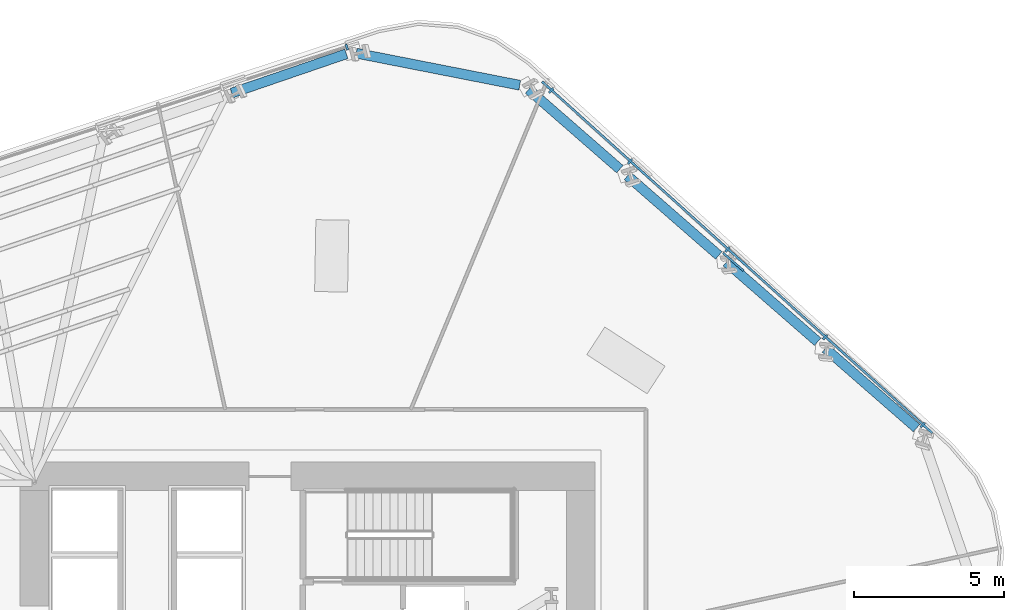
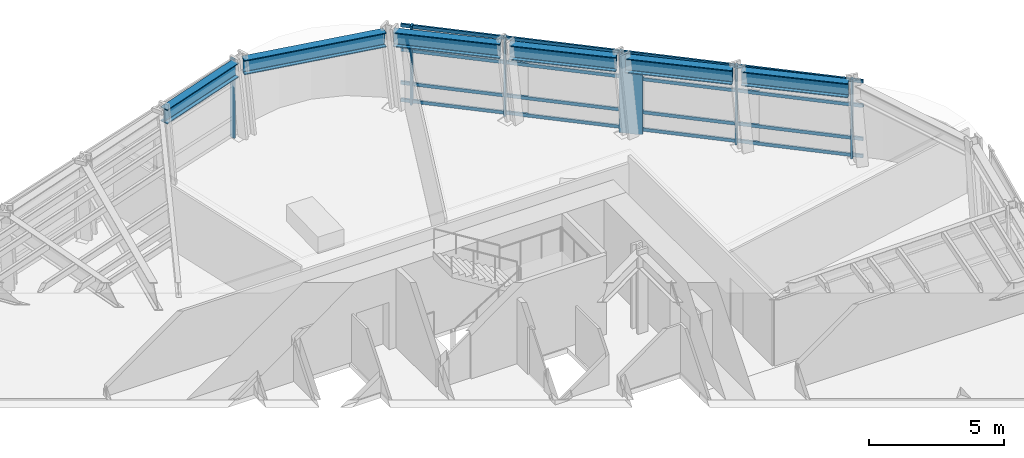
# One storey, part 7 of 16: 11 members, 6 beams, 2 elements without a shape of their own.
"""IFC4 building model written with IfcOpenShell, lengths in metres."""

from ifc_helpers import new_model, si_unit, direction, frame, origin, origin_2d, place, context, subcontext, project, spatial, rectangle, i_section, extrude, material, layer, layer_set, material_profile, profile_set, type_object, element, aggregate, save


model = new_model("IFC4")

# Units and contexts
model_context = context("Model", 3, precision=1e-05, world=origin(), true_north=direction((0.0, 1.0)))
body_context = subcontext(model_context, "Body", "Model", "MODEL_VIEW")
ifc_project = project(units=[si_unit("LENGTHUNIT", "METRE"), si_unit("AREAUNIT", "SQUARE_METRE"), si_unit("VOLUMEUNIT", "CUBIC_METRE"), si_unit("PLANEANGLEUNIT", "RADIAN"), si_unit("MASSUNIT", "GRAM", prefix="KILO")], contexts=[model_context])

# Site, building, storey
site_placement = place(None, origin())
site = spatial("IfcSite", under=ifc_project, at=site_placement, CompositionType="ELEMENT")
building_placement = place(site_placement, origin())
building = spatial("IfcBuilding", under=site, at=building_placement, Name="Valkerne Bourse Tower", CompositionType="ELEMENT")
storey_placement = place(building_placement, frame((0.0, 0.0, 101.0)))
storey = spatial("IfcBuildingStorey", under=building, at=storey_placement, Name="L25", CompositionType="ELEMENT", Elevation=101.0)

# Beams
ifc_material_1 = material(Name="Steel ASTM A992", Category="steel")
ifc_material_profile_1 = material_profile(ifc_material_1, i_section(OverallWidth=0.330078125, OverallDepth=0.647705078125, WebThickness=0.0205078125, FlangeThickness=0.037109375, FilletRadius=0.020263671875, at=origin_2d()), Name="W24X192")
ifc_profile_set_1 = profile_set([ifc_material_profile_1], Name="Steel ASTM A992")
beam_type = type_object("IfcBeamType", Name="BM-W24X192", PredefinedType="SPANDREL", material=ifc_profile_set_1)
for number, where, z_axis, x_axis, name in (
    (1, (67.14013671875, 37.240234375, 3.256103515625), (-0.753567147752, 0.657370940815, 0.0), (-0.657370940815, -0.753567147752, 0.0), "L25 Hexagonal Spandrel Ring Beam 00"),
    (2, (63.83740234375, 40.12158203125, 3.256103515625), (-0.753623154054, 0.657306733324, 0.0), (-0.657306733324, -0.753623154054, 0.0), "L25 Hexagonal Spandrel Ring Beam 01"),
    (3, (60.534423828125, 43.002685546875, 3.256103515625), (-0.753567147752, 0.657370940815, 0.0), (-0.657370940815, -0.753567147752, 0.0), "L25 Hexagonal Spandrel Ring Beam 02"),
):
    element("IfcBeam", number, at=place(storey_placement, frame(where, z_axis=z_axis, x_axis=x_axis)), inside=storey, type_object=beam_type, Name=name, PredefinedType="SPANDREL", context=body_context, shape_type="SweptSolid", body=[
        extrude(i_section(OverallWidth=0.330078125, OverallDepth=0.647705078125, WebThickness=0.0205078125, FlangeThickness=0.037109375, FilletRadius=0.020263671875, at=origin_2d()), origin(), (0.0, 0.0, 1.0), 4.04296875),
    ])
beam_1_placement = place(storey_placement, frame((57.231689453125, 45.884033203125, 3.256103515625), z_axis=(-0.753593241324, 0.657341027649, 0.0), x_axis=(-0.657341027649, -0.753593241324, 0.0)))
element("IfcBeam", 4, at=beam_1_placement, inside=storey, type_object=beam_type, Name="L25 Hexagonal Spandrel Ring Beam 03", PredefinedType="SPANDREL", context=body_context, shape_type="SweptSolid", body=[
    extrude(i_section(OverallWidth=0.330078125, OverallDepth=0.647705078125, WebThickness=0.0205078125, FlangeThickness=0.037109375, FilletRadius=0.020263671875, at=origin_2d()), origin(), (0.0, 0.0, 1.0), 4.043212890625),
])
beam_2_placement = place(storey_placement, frame((53.889892578125, 48.686279296875, 3.256103515625), z_axis=(-0.981292951973, 0.19252049867, 0.0), x_axis=(-0.19252049867, -0.981292951973, 0.0)))
element("IfcBeam", 5, at=beam_2_placement, inside=storey, type_object=beam_type, Name="L25 Hexagonal Spandrel Ring Beam 04", PredefinedType="SPANDREL", context=body_context, shape_type="SweptSolid", body=[
    extrude(i_section(OverallWidth=0.330078125, OverallDepth=0.647705078125, WebThickness=0.0205078125, FlangeThickness=0.037109375, FilletRadius=0.020263671875, at=origin_2d()), origin(), (0.0, 0.0, 1.0), 5.564453125),
])
beam_3_placement = place(storey_placement, frame((48.101806640625, 49.735107421875, 3.256103515625), z_axis=(-0.946085599933, -0.323916713987, 0.0), x_axis=(0.323916713987, -0.946085599933, 0.0)))
element("IfcBeam", 6, at=beam_3_placement, inside=storey, type_object=beam_type, Name="L25 Hexagonal Spandrel Ring Beam 05", PredefinedType="SPANDREL", context=body_context, shape_type="SweptSolid", body=[
    extrude(i_section(OverallWidth=0.330078125, OverallDepth=0.647705078125, WebThickness=0.0205078125, FlangeThickness=0.037109375, FilletRadius=0.020263671875, at=origin_2d()), origin(), (0.0, 0.0, 1.0), 4.04296875),
])

# Curtain wall, members
ifc_material_2 = material(Name="Aluminium AA 6063-T6", Category="aluminium")
ifc_layer = layer(ifc_material_2, 0.22998046875)
ifc_layer_set = layer_set([ifc_layer], Name="Aluminium AA 6063-T6")
curtain_wall_type = type_object("IfcCurtainWallType", Name="CW-02", PredefinedType="NOTDEFINED", material=ifc_layer_set)
curtain_wall_1_placement = place(storey_placement, origin())
curtain_wall_1 = element("IfcCurtainWall", 7, at=curtain_wall_1_placement, inside=storey, type_object=curtain_wall_type, Name="L25 Hexagonal Stick Curtain Wall Face 1", PredefinedType="NOTDEFINED")
ifc_material_profile_2 = material_profile(ifc_material_2, rectangle(XDim=0.074951171875, YDim=0.199951171875, at=origin_2d()), Name="CWM-75X200")
ifc_profile_set_2 = profile_set([ifc_material_profile_2], Name="Aluminium AA 6063-T6")
member_type_1 = type_object("IfcMemberType", Name="CW-MUL-220X75", PredefinedType="MULLION", material=ifc_profile_set_2)
member_1_placement = place(storey_placement, frame((67.340087890625, 37.33935546875, 0.0), z_axis=(0.0, 0.0, 1.0), x_axis=(-0.743144377687, 0.66913110368, 0.0)))
member_1 = element("IfcMember", 8, at=member_1_placement, type_object=member_type_1, Name="CW-L25-F1 Jamb Mullion 00A", PredefinedType="MULLION", context=body_context, shape_type="SweptSolid", body=[
    extrude(rectangle(XDim=0.074951171875, YDim=0.199951171875, at=origin_2d()), origin(), (0.0, 0.0, 1.0), 3.580078125),
])
member_2_placement = place(storey_placement, frame((64.0830078125, 40.272216796875, 0.0), z_axis=(0.0, 0.0, 1.0), x_axis=(-0.743144377687, 0.66913110368, 0.0)))
member_2 = element("IfcMember", 9, at=member_2_placement, type_object=member_type_1, Name="CW-L25-F1 Jamb Mullion 01A", PredefinedType="MULLION", context=body_context, shape_type="SweptSolid", body=[
    extrude(rectangle(XDim=0.074951171875, YDim=0.199951171875, at=origin_2d()), origin(), (0.0, 0.0, 1.0), 3.580078125),
])
member_3_placement = place(storey_placement, frame((60.82568359375, 43.204833984375, 0.0), z_axis=(0.0, 0.0, 1.0), x_axis=(-0.743144377687, 0.66913110368, 0.0)))
member_3 = element("IfcMember", 10, at=member_3_placement, type_object=member_type_1, Name="CW-L25-F1 Jamb Mullion 02A", PredefinedType="MULLION", context=body_context, shape_type="SweptSolid", body=[
    extrude(rectangle(XDim=0.074951171875, YDim=0.199951171875, at=origin_2d()), origin(), (0.0, 0.0, 1.0), 3.580078125),
])
member_4_placement = place(storey_placement, frame((57.568603515625, 46.1376953125, 0.0), z_axis=(0.0, 0.0, 1.0), x_axis=(-0.743144377687, 0.66913110368, 0.0)))
member_4 = element("IfcMember", 11, at=member_4_placement, type_object=member_type_1, Name="CW-L25-F1 Jamb Mullion 03A", PredefinedType="MULLION", context=body_context, shape_type="SweptSolid", body=[
    extrude(rectangle(XDim=0.074951171875, YDim=0.199951171875, at=origin_2d()), origin(), (0.0, 0.0, 1.0), 3.580078125),
])
member_5_placement = place(storey_placement, frame((54.935546875, 48.50830078125, 0.0), z_axis=(0.0, 0.0, 1.0), x_axis=(-0.743144377687, 0.66913110368, 0.0)))
member_5 = element("IfcMember", 12, at=member_5_placement, type_object=member_type_1, Name="CW-L25-F1 Jamb Mullion 03B", PredefinedType="MULLION", context=body_context, shape_type="SweptSolid", body=[
    extrude(rectangle(XDim=0.074951171875, YDim=0.199951171875, at=origin_2d()), origin(), (0.0, 0.0, 1.0), 3.580078125),
])

# Curtain wall, member
curtain_wall_2_placement = place(storey_placement, origin())
curtain_wall_2 = element("IfcCurtainWall", 13, at=curtain_wall_2_placement, inside=storey, type_object=curtain_wall_type, Name="L25 Hexagonal Stick Curtain Wall Face 2", PredefinedType="NOTDEFINED")
member_6_placement = place(storey_placement, frame((48.115966796875, 49.9580078125, 0.0), z_axis=(0.0, 0.0, 1.0), x_axis=(-0.951051671907, -0.30903190347, 0.0)))
member_6 = element("IfcMember", 14, at=member_6_placement, type_object=member_type_1, Name="CW-L25-F2 Jamb Mullion 00A", PredefinedType="MULLION", context=body_context, shape_type="SweptSolid", body=[
    extrude(rectangle(XDim=0.074951171875, YDim=0.199951171875, at=origin_2d()), origin(), (0.0, 0.0, 1.0), 3.580078125),
])
aggregate(curtain_wall_2, [member_6])

# Member
ifc_material_profile_3 = material_profile(ifc_material_2, rectangle(XDim=0.074951171875, YDim=0.14990234375, at=origin_2d()), Name="CWT-75X150")
ifc_profile_set_3 = profile_set([ifc_material_profile_3], Name="Aluminium AA 6063-T6")
member_type_2 = type_object("IfcMemberType", Name="CW-TRN-180X65", PredefinedType="USERDEFINED", material=ifc_profile_set_3)
member_7_placement = place(storey_placement, frame((67.665771484375, 37.072998046875, 0.1201171875), z_axis=(-0.743144563922, 0.669130896845, 0.0), x_axis=(-0.669130896845, -0.743144563922, 0.0)))
member_7 = element("IfcMember", 15, at=member_7_placement, type_object=member_type_2, Name="CW-L25-F1 Continuous Face Transom 1", ObjectType="TRANSOM", PredefinedType="USERDEFINED", context=body_context, shape_type="SweptSolid", body=[
    extrude(rectangle(XDim=0.074951171875, YDim=0.14990234375, at=origin_2d()), origin(), (0.0, 0.0, 1.0), 17.531982421875),
])

member_8_placement = place(storey_placement, frame((67.665771484375, 37.072998046875, 0.89990234375), z_axis=(-0.743144563922, 0.669130896845, 0.0), x_axis=(-0.669130896845, -0.743144563922, 0.0)))
member_8 = element("IfcMember", 16, at=member_8_placement, type_object=member_type_2, Name="CW-L25-F1 Continuous Face Transom 2", ObjectType="TRANSOM", PredefinedType="USERDEFINED", context=body_context, shape_type="SweptSolid", body=[
    extrude(rectangle(XDim=0.074951171875, YDim=0.14990234375, at=origin_2d()), origin(), (0.0, 0.0, 1.0), 17.531982421875),
])

member_9_placement = place(storey_placement, frame((67.665771484375, 37.072998046875, 2.39990234375), z_axis=(-0.743144563922, 0.669130896845, 0.0), x_axis=(-0.669130896845, -0.743144563922, 0.0)))
member_9 = element("IfcMember", 17, at=member_9_placement, type_object=member_type_2, Name="CW-L25-F1 Continuous Face Transom 3", ObjectType="TRANSOM", PredefinedType="USERDEFINED", context=body_context, shape_type="SweptSolid", body=[
    extrude(rectangle(XDim=0.074951171875, YDim=0.14990234375, at=origin_2d()), origin(), (0.0, 0.0, 1.0), 17.531982421875),
])

member_10_placement = place(storey_placement, frame((67.665771484375, 37.072998046875, 3.5), z_axis=(-0.743144563922, 0.669130896845, 0.0), x_axis=(-0.669130896845, -0.743144563922, 0.0)))
member_10 = element("IfcMember", 18, at=member_10_placement, type_object=member_type_2, Name="CW-L25-F1 Continuous Face Transom 4", ObjectType="TRANSOM", PredefinedType="USERDEFINED", context=body_context, shape_type="SweptSolid", body=[
    extrude(rectangle(XDim=0.074951171875, YDim=0.14990234375, at=origin_2d()), origin(), (0.0, 0.0, 1.0), 17.531982421875),
])

aggregate(curtain_wall_1, [member_7, member_8, member_9, member_10, member_1, member_2, member_3, member_4, member_5])

ifc_material_3 = material(Name="Bronze Anodised Aluminium AA 6063-T6", Category="aluminium")
ifc_material_profile_4 = material_profile(ifc_material_3, rectangle(XDim=0.070068359375, YDim=0.89990234375, at=origin_2d()), Name="FIN-70X900")
ifc_profile_set_4 = profile_set([ifc_material_profile_4], Name="Bronze Anodised Aluminium AA 6063-T6")
member_type_3 = type_object("IfcMemberType", Name="FIN-SOLAR-900", PredefinedType="USERDEFINED", material=ifc_profile_set_4)
member_11_placement = place(storey_placement, frame((61.017578125, 42.7900390625, 0.00390625), z_axis=(0.0, 0.0, 1.0), x_axis=(0.654761942798, 0.755835166067, 0.0)))
element("IfcMember", 19, at=member_11_placement, inside=storey, type_object=member_type_3, Name="L25 Bronze Anodised Solar Fin F1-02", ObjectType="SOLAR_FIN", PredefinedType="USERDEFINED", context=body_context, shape_type="SweptSolid", body=[
    extrude(rectangle(XDim=0.070068359375, YDim=0.89990234375, at=origin_2d()), origin(), (0.0, 0.0, 1.0), 3.572021484375),
])

save(model, "model.ifc")
